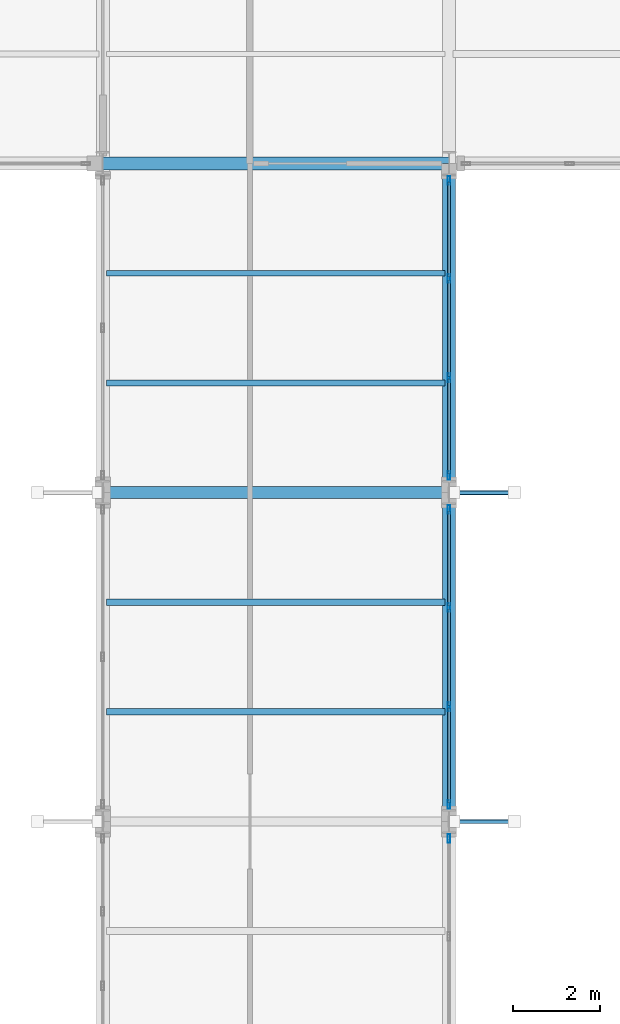
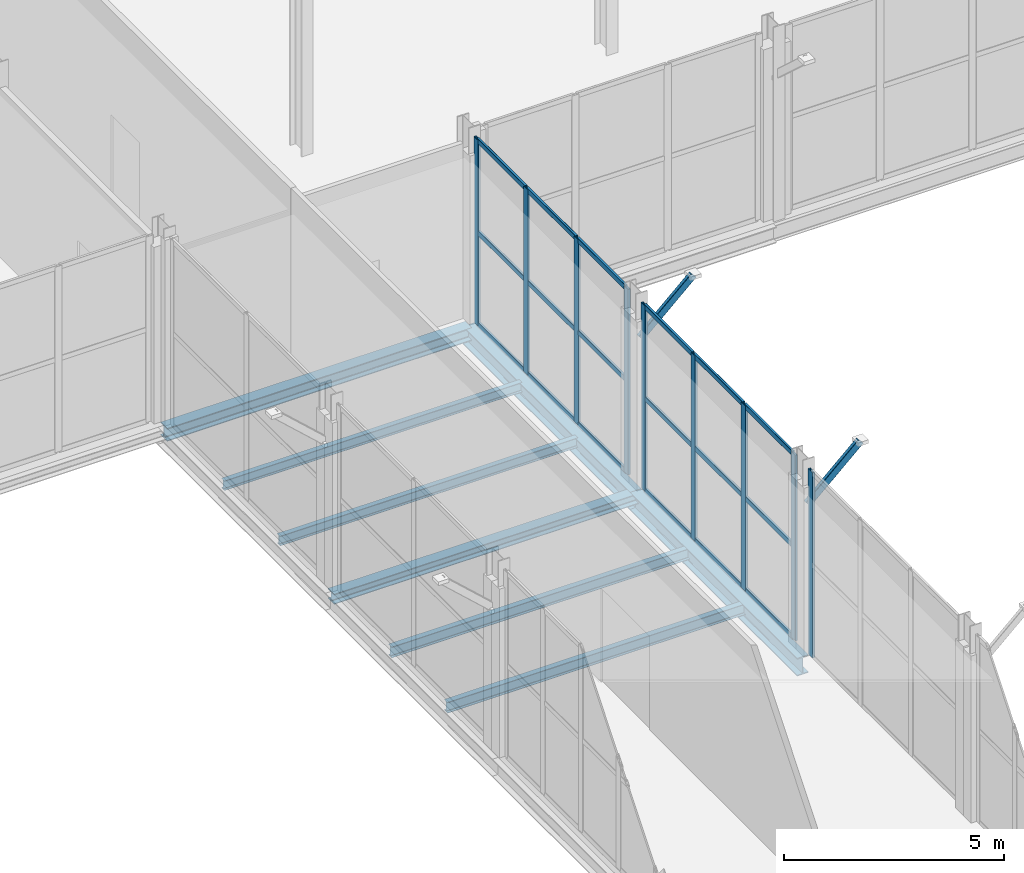
# One storey, part 72 of 147: 29 members, 8 beams, 3 elements without a shape of their own.
"""IFC4 building model written with IfcOpenShell, lengths in metres."""

from ifc_helpers import new_model, si_unit, direction, frame, origin, origin_2d, place, context, subcontext, project, spatial, hollow_rectangle, i_section, extrude, material, layer, layer_set, material_profile, profile_set, type_object, element, aggregate, save


model = new_model("IFC4")

# Units and contexts
model_context = context("Model", 3, precision=1e-05, world=origin(), true_north=direction((0.0, 1.0)))
body_context = subcontext(model_context, "Body", "Model", "MODEL_VIEW")
ifc_project = project(units=[si_unit("LENGTHUNIT", "METRE"), si_unit("AREAUNIT", "SQUARE_METRE"), si_unit("VOLUMEUNIT", "CUBIC_METRE"), si_unit("PLANEANGLEUNIT", "RADIAN"), si_unit("MASSUNIT", "GRAM", prefix="KILO")], contexts=[model_context])

# Site, building, storey
site_placement = place(None, origin())
site = spatial("IfcSite", under=ifc_project, at=site_placement, CompositionType="ELEMENT")
building_placement = place(site_placement, origin())
building = spatial("IfcBuilding", under=site, at=building_placement, Name="Vekula Escarpment Museum", CompositionType="ELEMENT")
storey_placement = place(building_placement, frame((0.0, 0.0, 7.800048828125)))
storey = spatial("IfcBuildingStorey", under=building, at=storey_placement, Name="L02", CompositionType="ELEMENT", Elevation=7.800048828125)

# Beams
ifc_material_1 = material(Name="Steel S355", Category="steel")
ifc_material_profile_1 = material_profile(ifc_material_1, i_section(OverallWidth=0.280029296875, OverallDepth=0.280029296875, WebThickness=0.010498046875, FlangeThickness=0.01806640625, FilletRadius=0.02392578125, at=origin_2d()), Name="HEB 280")
ifc_profile_set_1 = profile_set([ifc_material_profile_1], Name="Steel S355")
beam_type_1 = type_object("IfcBeamType", Name="BM-GIRD-HEB280", PredefinedType="BEAM", material=ifc_profile_set_1)
beam_1_placement = place(storey_placement, frame((94.0, 113.199951171875, -0.400146484375), z_axis=(1.0, 0.0, 0.0), x_axis=(0.0, 1.0, 0.0)))
element("IfcBeam", 1, at=beam_1_placement, inside=storey, type_object=beam_type_1, Name="Beam X L02 0976", PredefinedType="BEAM", context=body_context, shape_type="SweptSolid", body=[
    extrude(i_section(OverallWidth=0.280029296875, OverallDepth=0.280029296875, WebThickness=0.010498046875, FlangeThickness=0.01806640625, FilletRadius=0.02392578125, at=origin_2d()), origin(), (0.0, 0.0, 1.0), 8.0),
])
ifc_material_2 = material(Name="Steel S355", Category="steel")
ifc_material_profile_2 = material_profile(ifc_material_2, i_section(OverallWidth=0.300048828125, OverallDepth=0.360107421875, WebThickness=0.012451171875, FlangeThickness=0.0224609375, FilletRadius=0.027099609375, at=origin_2d()), Name="HEB 360")
ifc_profile_set_2 = profile_set([ifc_material_profile_2], Name="Steel S355")
beam_type_2 = type_object("IfcBeamType", Name="BM-GIRD-HEB360", PredefinedType="BEAM", material=ifc_profile_set_2)
beam_2_placement = place(storey_placement, frame((94.0, 120.800048828125, -0.43994140625), z_axis=(1.0, 0.0, 0.0), x_axis=(0.0, 1.0, 0.0)))
element("IfcBeam", 2, at=beam_2_placement, inside=storey, type_object=beam_type_2, Name="Beam X L02 0990", PredefinedType="BEAM", context=body_context, shape_type="SweptSolid", body=[
    extrude(i_section(OverallWidth=0.300048828125, OverallDepth=0.360107421875, WebThickness=0.012451171875, FlangeThickness=0.0224609375, FilletRadius=0.027099609375, at=origin_2d()), origin(), (0.0, 0.0, 1.0), 8.0),
])
ifc_material_3 = material(Name="Steel S355", Category="steel")
ifc_material_profile_3 = material_profile(ifc_material_3, i_section(OverallWidth=0.300048828125, OverallDepth=0.5, WebThickness=0.014404296875, FlangeThickness=0.028076171875, FilletRadius=0.027099609375, at=origin_2d()), Name="HEB 500")
ifc_profile_set_3 = profile_set([ifc_material_profile_3], Name="Steel S355")
beam_type_3 = type_object("IfcBeamType", Name="BM-GIRD-HEB500", PredefinedType="BEAM", material=ifc_profile_set_3)
beam_3_placement = place(storey_placement, frame((102.0, 105.60009765625, -0.510009765625), z_axis=(0.0, 1.0, 0.0), x_axis=(-1.0, 0.0, 0.0)))
element("IfcBeam", 3, at=beam_3_placement, inside=storey, type_object=beam_type_3, Name="Beam Y L02 1180", PredefinedType="BEAM", context=body_context, shape_type="SweptSolid", body=[
    extrude(i_section(OverallWidth=0.300048828125, OverallDepth=0.5, WebThickness=0.014404296875, FlangeThickness=0.028076171875, FilletRadius=0.027099609375, at=origin_2d()), origin(), (0.0, 0.0, 1.0), 7.599853515625),
])
beam_4_placement = place(storey_placement, frame((102.0, 113.199951171875, -0.510009765625), z_axis=(0.0, 1.0, 0.0), x_axis=(-1.0, 0.0, 0.0)))
element("IfcBeam", 4, at=beam_4_placement, inside=storey, type_object=beam_type_3, Name="Beam Y L02 1181", PredefinedType="BEAM", context=body_context, shape_type="SweptSolid", body=[
    extrude(i_section(OverallWidth=0.300048828125, OverallDepth=0.5, WebThickness=0.014404296875, FlangeThickness=0.028076171875, FilletRadius=0.027099609375, at=origin_2d()), origin(), (0.0, 0.0, 1.0), 7.60009765625),
])
ifc_material_4 = material(Name="Steel S355", Category="steel")
ifc_material_profile_4 = material_profile(ifc_material_4, i_section(OverallWidth=0.135009765625, OverallDepth=0.27001953125, WebThickness=0.006591796875, FlangeThickness=0.01025390625, FilletRadius=0.014892578125, at=origin_2d()), Name="IPE 270")
ifc_profile_set_4 = profile_set([ifc_material_profile_4], Name="Steel S355")
beam_type_4 = type_object("IfcBeamType", Name="BM-JST-IPE270", PredefinedType="JOIST", material=ifc_profile_set_4)
for number, where, z_axis, x_axis, name in (
    (5, (94.090087890625, 115.7333984375, -0.39501953125), (1.0, 0.0, 0.0), (0.0, 1.0, 0.0), "Secondary Joist L02 0786"),
    (6, (94.090087890625, 118.2666015625, -0.39501953125), (1.0, 0.0, 0.0), (0.0, 1.0, 0.0), "Secondary Joist L02 0787"),
):
    element("IfcBeam", number, at=place(storey_placement, frame(where, z_axis=z_axis, x_axis=x_axis)), inside=storey, type_object=beam_type_4, Name=name, PredefinedType="JOIST", context=body_context, shape_type="SweptSolid", body=[
        extrude(i_section(OverallWidth=0.135009765625, OverallDepth=0.27001953125, WebThickness=0.006591796875, FlangeThickness=0.01025390625, FilletRadius=0.014892578125, at=origin_2d()), origin(), (0.0, 0.0, 1.0), 7.81982421875),
    ])
ifc_material_5 = material(Name="Steel S355", Category="steel")
ifc_material_profile_5 = material_profile(ifc_material_5, i_section(OverallWidth=0.14990234375, OverallDepth=0.300048828125, WebThickness=0.007080078125, FlangeThickness=0.0107421875, FilletRadius=0.014892578125, at=origin_2d()), Name="IPE 300")
ifc_profile_set_5 = profile_set([ifc_material_profile_5], Name="Steel S355")
beam_type_5 = type_object("IfcBeamType", Name="BM-JST-IPE300", PredefinedType="JOIST", material=ifc_profile_set_5)
for number, where, z_axis, x_axis, name in (
    (7, (94.090087890625, 108.13330078125, -0.41015625), (1.0, 0.0, 0.0), (0.0, 1.0, 0.0), "Secondary Joist L02 0784"),
    (8, (94.090087890625, 110.666748046875, -0.41015625), (1.0, 0.0, 0.0), (0.0, 1.0, 0.0), "Secondary Joist L02 0785"),
):
    element("IfcBeam", number, at=place(storey_placement, frame(where, z_axis=z_axis, x_axis=x_axis)), inside=storey, type_object=beam_type_5, Name=name, PredefinedType="JOIST", context=body_context, shape_type="SweptSolid", body=[
        extrude(i_section(OverallWidth=0.14990234375, OverallDepth=0.300048828125, WebThickness=0.007080078125, FlangeThickness=0.0107421875, FilletRadius=0.014892578125, at=origin_2d()), origin(), (0.0, 0.0, 1.0), 7.81982421875),
    ])

# Curtain wall, member
ifc_material_6 = material(Name="Aluminium thermally broken framing", Category="aluminium")
ifc_layer_1 = layer(ifc_material_6, 0.169921875)
ifc_layer_set_1 = layer_set([ifc_layer_1], Name="Aluminium thermally broken framing")
curtain_wall_type_1 = type_object("IfcCurtainWallType", Name="CW-SYS-10", PredefinedType="NOTDEFINED", material=ifc_layer_set_1)
curtain_wall_1_placement = place(storey_placement, origin())
curtain_wall_1 = element("IfcCurtainWall", 9, at=curtain_wall_1_placement, inside=storey, type_object=curtain_wall_type_1, Name="Curtain Wall CW-L02-080", PredefinedType="NOTDEFINED")
ifc_material_7 = material(Name="Aluminium anodized mullion", Category="aluminium")
ifc_material_profile_6 = material_profile(ifc_material_7, hollow_rectangle(XDim=0.06494140625, YDim=0.199951171875, WallThickness=0.00390625, InnerFilletRadius=0.00390625, OuterFilletRadius=0.008056640625, at=origin_2d()), Name="ALU 200x65x4")
ifc_profile_set_6 = profile_set([ifc_material_profile_6], Name="Aluminium anodized mullion")
member_type_1 = type_object("IfcMemberType", Name="CW-MUL-200", PredefinedType="MULLION", material=ifc_profile_set_6)
member_1_placement = place(storey_placement, frame((102.0, 105.20751953125, 0.0), z_axis=(0.0, 0.0, 1.0), x_axis=(-1.0, 0.0, 0.0)))
member_1 = element("IfcMember", 10, at=member_1_placement, type_object=member_type_1, Name="CW-10 mullion 4", PredefinedType="MULLION", context=body_context, shape_type="SweptSolid", body=[
    extrude(hollow_rectangle(XDim=0.06494140625, YDim=0.199951171875, WallThickness=0.00390625, InnerFilletRadius=0.00390625, OuterFilletRadius=0.008056640625, at=origin_2d()), origin(), (0.0, 0.0, 1.0), 5.14990234375),
])
aggregate(curtain_wall_1, [member_1])

# Curtain wall, members
ifc_material_8 = material(Name="Aluminium thermally broken framing", Category="aluminium")
ifc_layer_2 = layer(ifc_material_8, 0.159912109375)
ifc_layer_set_2 = layer_set([ifc_layer_2], Name="Aluminium thermally broken framing")
curtain_wall_type_2 = type_object("IfcCurtainWallType", Name="CW-SYS-01", PredefinedType="NOTDEFINED", material=ifc_layer_set_2)
curtain_wall_2_placement = place(storey_placement, origin())
curtain_wall_2 = element("IfcCurtainWall", 11, at=curtain_wall_2_placement, inside=storey, type_object=curtain_wall_type_2, Name="Curtain Wall CW-L02-081", PredefinedType="NOTDEFINED")
member_2_placement = place(storey_placement, frame((102.0, 105.992431640625, 0.0), z_axis=(0.0, 0.0, 1.0), x_axis=(-1.0, 0.0, 0.0)))
member_2 = element("IfcMember", 12, at=member_2_placement, type_object=member_type_1, Name="CW-01 mullion 1", PredefinedType="MULLION", context=body_context, shape_type="SweptSolid", body=[
    extrude(hollow_rectangle(XDim=0.06494140625, YDim=0.199951171875, WallThickness=0.00390625, InnerFilletRadius=0.00390625, OuterFilletRadius=0.008056640625, at=origin_2d()), origin(), (0.0, 0.0, 1.0), 5.14990234375),
])
member_3_placement = place(storey_placement, frame((102.0, 108.25341796875, 0.0), z_axis=(0.0, 0.0, 1.0), x_axis=(-1.0, 0.0, 0.0)))
member_3 = element("IfcMember", 13, at=member_3_placement, type_object=member_type_1, Name="CW-01 mullion 2", PredefinedType="MULLION", context=body_context, shape_type="SweptSolid", body=[
    extrude(hollow_rectangle(XDim=0.06494140625, YDim=0.199951171875, WallThickness=0.00390625, InnerFilletRadius=0.00390625, OuterFilletRadius=0.008056640625, at=origin_2d()), origin(), (0.0, 0.0, 1.0), 5.14990234375),
])
member_4_placement = place(storey_placement, frame((102.0, 110.546630859375, 0.0), z_axis=(0.0, 0.0, 1.0), x_axis=(-1.0, 0.0, 0.0)))
member_4 = element("IfcMember", 14, at=member_4_placement, type_object=member_type_1, Name="CW-01 mullion 3", PredefinedType="MULLION", context=body_context, shape_type="SweptSolid", body=[
    extrude(hollow_rectangle(XDim=0.06494140625, YDim=0.199951171875, WallThickness=0.00390625, InnerFilletRadius=0.00390625, OuterFilletRadius=0.008056640625, at=origin_2d()), origin(), (0.0, 0.0, 1.0), 5.14990234375),
])
member_5_placement = place(storey_placement, frame((102.0, 112.8076171875, 0.0), z_axis=(0.0, 0.0, 1.0), x_axis=(-1.0, 0.0, 0.0)))
member_5 = element("IfcMember", 15, at=member_5_placement, type_object=member_type_1, Name="CW-01 mullion 4", PredefinedType="MULLION", context=body_context, shape_type="SweptSolid", body=[
    extrude(hollow_rectangle(XDim=0.06494140625, YDim=0.199951171875, WallThickness=0.00390625, InnerFilletRadius=0.00390625, OuterFilletRadius=0.008056640625, at=origin_2d()), origin(), (0.0, 0.0, 1.0), 5.14990234375),
])

ifc_material_9 = material(Name="Aluminium thermally broken framing", Category="aluminium")
ifc_layer_3 = layer(ifc_material_9, 0.159912109375)
ifc_layer_set_3 = layer_set([ifc_layer_3], Name="Aluminium thermally broken framing")
curtain_wall_type_3 = type_object("IfcCurtainWallType", Name="CW-SYS-02", PredefinedType="NOTDEFINED", material=ifc_layer_set_3)
curtain_wall_3_placement = place(storey_placement, origin())
curtain_wall_3 = element("IfcCurtainWall", 16, at=curtain_wall_3_placement, inside=storey, type_object=curtain_wall_type_3, Name="Curtain Wall CW-L02-082", PredefinedType="NOTDEFINED")
member_6_placement = place(storey_placement, frame((102.0, 113.592529296875, 0.0), z_axis=(0.0, 0.0, 1.0), x_axis=(-1.0, 0.0, 0.0)))
member_6 = element("IfcMember", 17, at=member_6_placement, type_object=member_type_1, Name="CW-02 mullion 1", PredefinedType="MULLION", context=body_context, shape_type="SweptSolid", body=[
    extrude(hollow_rectangle(XDim=0.06494140625, YDim=0.199951171875, WallThickness=0.00390625, InnerFilletRadius=0.00390625, OuterFilletRadius=0.008056640625, at=origin_2d()), origin(), (0.0, 0.0, 1.0), 5.14990234375),
])
member_7_placement = place(storey_placement, frame((102.0, 115.853271484375, 0.0), z_axis=(0.0, 0.0, 1.0), x_axis=(-1.0, 0.0, 0.0)))
member_7 = element("IfcMember", 18, at=member_7_placement, type_object=member_type_1, Name="CW-02 mullion 2", PredefinedType="MULLION", context=body_context, shape_type="SweptSolid", body=[
    extrude(hollow_rectangle(XDim=0.06494140625, YDim=0.199951171875, WallThickness=0.00390625, InnerFilletRadius=0.00390625, OuterFilletRadius=0.008056640625, at=origin_2d()), origin(), (0.0, 0.0, 1.0), 5.14990234375),
])
member_8_placement = place(storey_placement, frame((102.0, 118.146728515625, 0.0), z_axis=(0.0, 0.0, 1.0), x_axis=(-1.0, 0.0, 0.0)))
member_8 = element("IfcMember", 19, at=member_8_placement, type_object=member_type_1, Name="CW-02 mullion 3", PredefinedType="MULLION", context=body_context, shape_type="SweptSolid", body=[
    extrude(hollow_rectangle(XDim=0.06494140625, YDim=0.199951171875, WallThickness=0.00390625, InnerFilletRadius=0.00390625, OuterFilletRadius=0.008056640625, at=origin_2d()), origin(), (0.0, 0.0, 1.0), 5.14990234375),
])
member_9_placement = place(storey_placement, frame((102.0, 120.407470703125, 0.0), z_axis=(0.0, 0.0, 1.0), x_axis=(-1.0, 0.0, 0.0)))
member_9 = element("IfcMember", 20, at=member_9_placement, type_object=member_type_1, Name="CW-02 mullion 4", PredefinedType="MULLION", context=body_context, shape_type="SweptSolid", body=[
    extrude(hollow_rectangle(XDim=0.06494140625, YDim=0.199951171875, WallThickness=0.00390625, InnerFilletRadius=0.00390625, OuterFilletRadius=0.008056640625, at=origin_2d()), origin(), (0.0, 0.0, 1.0), 5.14990234375),
])

# Member
ifc_material_10 = material(Name="Aluminium anodized transom", Category="aluminium")
ifc_material_profile_7 = material_profile(ifc_material_10, hollow_rectangle(XDim=0.06494140625, YDim=0.139892578125, WallThickness=0.00390625, InnerFilletRadius=0.00390625, OuterFilletRadius=0.008056640625, at=origin_2d()), Name="ALU 140x65x4")
ifc_profile_set_7 = profile_set([ifc_material_profile_7], Name="Aluminium anodized transom")
member_type_2 = type_object("IfcMemberType", Name="CW-TRN-140", PredefinedType="USERDEFINED", material=ifc_profile_set_7)
member_10_placement = place(storey_placement, frame((102.0, 106.02490234375, 0.032470703125), z_axis=(0.0, 1.0, 0.0), x_axis=(-1.0, 0.0, 0.0)))
member_10 = element("IfcMember", 21, at=member_10_placement, type_object=member_type_2, Name="CW-01 transom 1.1", ObjectType="TRANSOM", PredefinedType="USERDEFINED", context=body_context, shape_type="SweptSolid", body=[
    extrude(hollow_rectangle(XDim=0.06494140625, YDim=0.139892578125, WallThickness=0.00390625, InnerFilletRadius=0.00390625, OuterFilletRadius=0.008056640625, at=origin_2d()), origin(), (0.0, 0.0, 1.0), 2.196044921875),
])

member_11_placement = place(storey_placement, frame((102.0, 106.02490234375, 2.574951171875), z_axis=(0.0, 1.0, 0.0), x_axis=(-1.0, 0.0, 0.0)))
member_11 = element("IfcMember", 22, at=member_11_placement, type_object=member_type_2, Name="CW-01 transom 1.2", ObjectType="TRANSOM", PredefinedType="USERDEFINED", context=body_context, shape_type="SweptSolid", body=[
    extrude(hollow_rectangle(XDim=0.06494140625, YDim=0.139892578125, WallThickness=0.00390625, InnerFilletRadius=0.00390625, OuterFilletRadius=0.008056640625, at=origin_2d()), origin(), (0.0, 0.0, 1.0), 2.196044921875),
])

member_12_placement = place(storey_placement, frame((102.0, 106.02490234375, 5.117431640625), z_axis=(0.0, 1.0, 0.0), x_axis=(-1.0, 0.0, 0.0)))
member_12 = element("IfcMember", 23, at=member_12_placement, type_object=member_type_2, Name="CW-01 transom 1.3", ObjectType="TRANSOM", PredefinedType="USERDEFINED", context=body_context, shape_type="SweptSolid", body=[
    extrude(hollow_rectangle(XDim=0.06494140625, YDim=0.139892578125, WallThickness=0.00390625, InnerFilletRadius=0.00390625, OuterFilletRadius=0.008056640625, at=origin_2d()), origin(), (0.0, 0.0, 1.0), 2.196044921875),
])

member_13_placement = place(storey_placement, frame((102.0, 108.285888671875, 0.032470703125), z_axis=(0.0, 1.0, 0.0), x_axis=(-1.0, 0.0, 0.0)))
member_13 = element("IfcMember", 24, at=member_13_placement, type_object=member_type_2, Name="CW-01 transom 2.1", ObjectType="TRANSOM", PredefinedType="USERDEFINED", context=body_context, shape_type="SweptSolid", body=[
    extrude(hollow_rectangle(XDim=0.06494140625, YDim=0.139892578125, WallThickness=0.00390625, InnerFilletRadius=0.00390625, OuterFilletRadius=0.008056640625, at=origin_2d()), origin(), (0.0, 0.0, 1.0), 2.228271484375),
])

member_14_placement = place(storey_placement, frame((102.0, 108.285888671875, 2.574951171875), z_axis=(0.0, 1.0, 0.0), x_axis=(-1.0, 0.0, 0.0)))
member_14 = element("IfcMember", 25, at=member_14_placement, type_object=member_type_2, Name="CW-01 transom 2.2", ObjectType="TRANSOM", PredefinedType="USERDEFINED", context=body_context, shape_type="SweptSolid", body=[
    extrude(hollow_rectangle(XDim=0.06494140625, YDim=0.139892578125, WallThickness=0.00390625, InnerFilletRadius=0.00390625, OuterFilletRadius=0.008056640625, at=origin_2d()), origin(), (0.0, 0.0, 1.0), 2.228271484375),
])

member_15_placement = place(storey_placement, frame((102.0, 108.285888671875, 5.117431640625), z_axis=(0.0, 1.0, 0.0), x_axis=(-1.0, 0.0, 0.0)))
member_15 = element("IfcMember", 26, at=member_15_placement, type_object=member_type_2, Name="CW-01 transom 2.3", ObjectType="TRANSOM", PredefinedType="USERDEFINED", context=body_context, shape_type="SweptSolid", body=[
    extrude(hollow_rectangle(XDim=0.06494140625, YDim=0.139892578125, WallThickness=0.00390625, InnerFilletRadius=0.00390625, OuterFilletRadius=0.008056640625, at=origin_2d()), origin(), (0.0, 0.0, 1.0), 2.228271484375),
])

member_16_placement = place(storey_placement, frame((102.0, 110.5791015625, 0.032470703125), z_axis=(0.0, 1.0, 0.0), x_axis=(-1.0, 0.0, 0.0)))
member_16 = element("IfcMember", 27, at=member_16_placement, type_object=member_type_2, Name="CW-01 transom 3.1", ObjectType="TRANSOM", PredefinedType="USERDEFINED", context=body_context, shape_type="SweptSolid", body=[
    extrude(hollow_rectangle(XDim=0.06494140625, YDim=0.139892578125, WallThickness=0.00390625, InnerFilletRadius=0.00390625, OuterFilletRadius=0.008056640625, at=origin_2d()), origin(), (0.0, 0.0, 1.0), 2.19580078125),
])

member_17_placement = place(storey_placement, frame((102.0, 110.5791015625, 2.574951171875), z_axis=(0.0, 1.0, 0.0), x_axis=(-1.0, 0.0, 0.0)))
member_17 = element("IfcMember", 28, at=member_17_placement, type_object=member_type_2, Name="CW-01 transom 3.2", ObjectType="TRANSOM", PredefinedType="USERDEFINED", context=body_context, shape_type="SweptSolid", body=[
    extrude(hollow_rectangle(XDim=0.06494140625, YDim=0.139892578125, WallThickness=0.00390625, InnerFilletRadius=0.00390625, OuterFilletRadius=0.008056640625, at=origin_2d()), origin(), (0.0, 0.0, 1.0), 2.19580078125),
])

member_18_placement = place(storey_placement, frame((102.0, 110.5791015625, 5.117431640625), z_axis=(0.0, 1.0, 0.0), x_axis=(-1.0, 0.0, 0.0)))
member_18 = element("IfcMember", 29, at=member_18_placement, type_object=member_type_2, Name="CW-01 transom 3.3", ObjectType="TRANSOM", PredefinedType="USERDEFINED", context=body_context, shape_type="SweptSolid", body=[
    extrude(hollow_rectangle(XDim=0.06494140625, YDim=0.139892578125, WallThickness=0.00390625, InnerFilletRadius=0.00390625, OuterFilletRadius=0.008056640625, at=origin_2d()), origin(), (0.0, 0.0, 1.0), 2.19580078125),
])

aggregate(curtain_wall_2, [member_2, member_3, member_4, member_5, member_10, member_11, member_12, member_13, member_14, member_15, member_16, member_17, member_18])

member_19_placement = place(storey_placement, frame((102.0, 113.625, 0.032470703125), z_axis=(0.0, 1.0, 0.0), x_axis=(-1.0, 0.0, 0.0)))
member_19 = element("IfcMember", 30, at=member_19_placement, type_object=member_type_2, Name="CW-02 transom 1.1", ObjectType="TRANSOM", PredefinedType="USERDEFINED", context=body_context, shape_type="SweptSolid", body=[
    extrude(hollow_rectangle(XDim=0.06494140625, YDim=0.139892578125, WallThickness=0.00390625, InnerFilletRadius=0.00390625, OuterFilletRadius=0.008056640625, at=origin_2d()), origin(), (0.0, 0.0, 1.0), 2.19580078125),
])

member_20_placement = place(storey_placement, frame((102.0, 113.625, 2.574951171875), z_axis=(0.0, 1.0, 0.0), x_axis=(-1.0, 0.0, 0.0)))
member_20 = element("IfcMember", 31, at=member_20_placement, type_object=member_type_2, Name="CW-02 transom 1.2", ObjectType="TRANSOM", PredefinedType="USERDEFINED", context=body_context, shape_type="SweptSolid", body=[
    extrude(hollow_rectangle(XDim=0.06494140625, YDim=0.139892578125, WallThickness=0.00390625, InnerFilletRadius=0.00390625, OuterFilletRadius=0.008056640625, at=origin_2d()), origin(), (0.0, 0.0, 1.0), 2.19580078125),
])

member_21_placement = place(storey_placement, frame((102.0, 113.625, 5.117431640625), z_axis=(0.0, 1.0, 0.0), x_axis=(-1.0, 0.0, 0.0)))
member_21 = element("IfcMember", 32, at=member_21_placement, type_object=member_type_2, Name="CW-02 transom 1.3", ObjectType="TRANSOM", PredefinedType="USERDEFINED", context=body_context, shape_type="SweptSolid", body=[
    extrude(hollow_rectangle(XDim=0.06494140625, YDim=0.139892578125, WallThickness=0.00390625, InnerFilletRadius=0.00390625, OuterFilletRadius=0.008056640625, at=origin_2d()), origin(), (0.0, 0.0, 1.0), 2.19580078125),
])

member_22_placement = place(storey_placement, frame((102.0, 115.8857421875, 0.032470703125), z_axis=(0.0, 1.0, 0.0), x_axis=(-1.0, 0.0, 0.0)))
member_22 = element("IfcMember", 33, at=member_22_placement, type_object=member_type_2, Name="CW-02 transom 2.1", ObjectType="TRANSOM", PredefinedType="USERDEFINED", context=body_context, shape_type="SweptSolid", body=[
    extrude(hollow_rectangle(XDim=0.06494140625, YDim=0.139892578125, WallThickness=0.00390625, InnerFilletRadius=0.00390625, OuterFilletRadius=0.008056640625, at=origin_2d()), origin(), (0.0, 0.0, 1.0), 2.228515625),
])

member_23_placement = place(storey_placement, frame((102.0, 115.8857421875, 2.574951171875), z_axis=(0.0, 1.0, 0.0), x_axis=(-1.0, 0.0, 0.0)))
member_23 = element("IfcMember", 34, at=member_23_placement, type_object=member_type_2, Name="CW-02 transom 2.2", ObjectType="TRANSOM", PredefinedType="USERDEFINED", context=body_context, shape_type="SweptSolid", body=[
    extrude(hollow_rectangle(XDim=0.06494140625, YDim=0.139892578125, WallThickness=0.00390625, InnerFilletRadius=0.00390625, OuterFilletRadius=0.008056640625, at=origin_2d()), origin(), (0.0, 0.0, 1.0), 2.228515625),
])

member_24_placement = place(storey_placement, frame((102.0, 115.8857421875, 5.117431640625), z_axis=(0.0, 1.0, 0.0), x_axis=(-1.0, 0.0, 0.0)))
member_24 = element("IfcMember", 35, at=member_24_placement, type_object=member_type_2, Name="CW-02 transom 2.3", ObjectType="TRANSOM", PredefinedType="USERDEFINED", context=body_context, shape_type="SweptSolid", body=[
    extrude(hollow_rectangle(XDim=0.06494140625, YDim=0.139892578125, WallThickness=0.00390625, InnerFilletRadius=0.00390625, OuterFilletRadius=0.008056640625, at=origin_2d()), origin(), (0.0, 0.0, 1.0), 2.228515625),
])

member_25_placement = place(storey_placement, frame((102.0, 118.17919921875, 0.032470703125), z_axis=(0.0, 1.0, 0.0), x_axis=(-1.0, 0.0, 0.0)))
member_25 = element("IfcMember", 36, at=member_25_placement, type_object=member_type_2, Name="CW-02 transom 3.1", ObjectType="TRANSOM", PredefinedType="USERDEFINED", context=body_context, shape_type="SweptSolid", body=[
    extrude(hollow_rectangle(XDim=0.06494140625, YDim=0.139892578125, WallThickness=0.00390625, InnerFilletRadius=0.00390625, OuterFilletRadius=0.008056640625, at=origin_2d()), origin(), (0.0, 0.0, 1.0), 2.19580078125),
])

member_26_placement = place(storey_placement, frame((102.0, 118.17919921875, 2.574951171875), z_axis=(0.0, 1.0, 0.0), x_axis=(-1.0, 0.0, 0.0)))
member_26 = element("IfcMember", 37, at=member_26_placement, type_object=member_type_2, Name="CW-02 transom 3.2", ObjectType="TRANSOM", PredefinedType="USERDEFINED", context=body_context, shape_type="SweptSolid", body=[
    extrude(hollow_rectangle(XDim=0.06494140625, YDim=0.139892578125, WallThickness=0.00390625, InnerFilletRadius=0.00390625, OuterFilletRadius=0.008056640625, at=origin_2d()), origin(), (0.0, 0.0, 1.0), 2.19580078125),
])

member_27_placement = place(storey_placement, frame((102.0, 118.17919921875, 5.117431640625), z_axis=(0.0, 1.0, 0.0), x_axis=(-1.0, 0.0, 0.0)))
member_27 = element("IfcMember", 38, at=member_27_placement, type_object=member_type_2, Name="CW-02 transom 3.3", ObjectType="TRANSOM", PredefinedType="USERDEFINED", context=body_context, shape_type="SweptSolid", body=[
    extrude(hollow_rectangle(XDim=0.06494140625, YDim=0.139892578125, WallThickness=0.00390625, InnerFilletRadius=0.00390625, OuterFilletRadius=0.008056640625, at=origin_2d()), origin(), (0.0, 0.0, 1.0), 2.19580078125),
])

aggregate(curtain_wall_3, [member_6, member_7, member_8, member_9, member_19, member_20, member_21, member_22, member_23, member_24, member_25, member_26, member_27])

# Members
ifc_material_11 = material(Name="Steel S355", Category="steel")
ifc_material_profile_8 = material_profile(ifc_material_11, hollow_rectangle(XDim=0.10009765625, YDim=0.199951171875, WallThickness=0.008056640625, InnerFilletRadius=0.008056640625, OuterFilletRadius=0.01611328125, at=origin_2d()), Name="RHS 200x100x8")
ifc_profile_set_8 = profile_set([ifc_material_profile_8], Name="Steel S355")
member_type_3 = type_object("IfcMemberType", Name="MB-SACAK-BRK", PredefinedType="STRUT", material=ifc_profile_set_8)
for number, where, z_axis, x_axis, name in (
    (39, (102.1201171875, 105.60009765625, 3.949951171875), (0.738454378718, 0.0, 0.674303441006), (0.0, 1.0, 0.0), "Ottoman Sacak Eave Bracket L03-0067"),
    (40, (102.1201171875, 113.199951171875, 3.949951171875), (0.738454378718, 0.0, 0.674303441006), (0.0, 1.0, 0.0), "Ottoman Sacak Eave Bracket L03-0068"),
):
    element("IfcMember", number, at=place(storey_placement, frame(where, z_axis=z_axis, x_axis=x_axis)), inside=storey, type_object=member_type_3, Name=name, PredefinedType="STRUT", context=body_context, shape_type="SweptSolid", body=[
        extrude(hollow_rectangle(XDim=0.10009765625, YDim=0.199951171875, WallThickness=0.008056640625, InnerFilletRadius=0.008056640625, OuterFilletRadius=0.01611328125, at=origin_2d()), origin(), (0.0, 0.0, 1.0), 1.86865234375),
    ])

save(model, "model.ifc")
